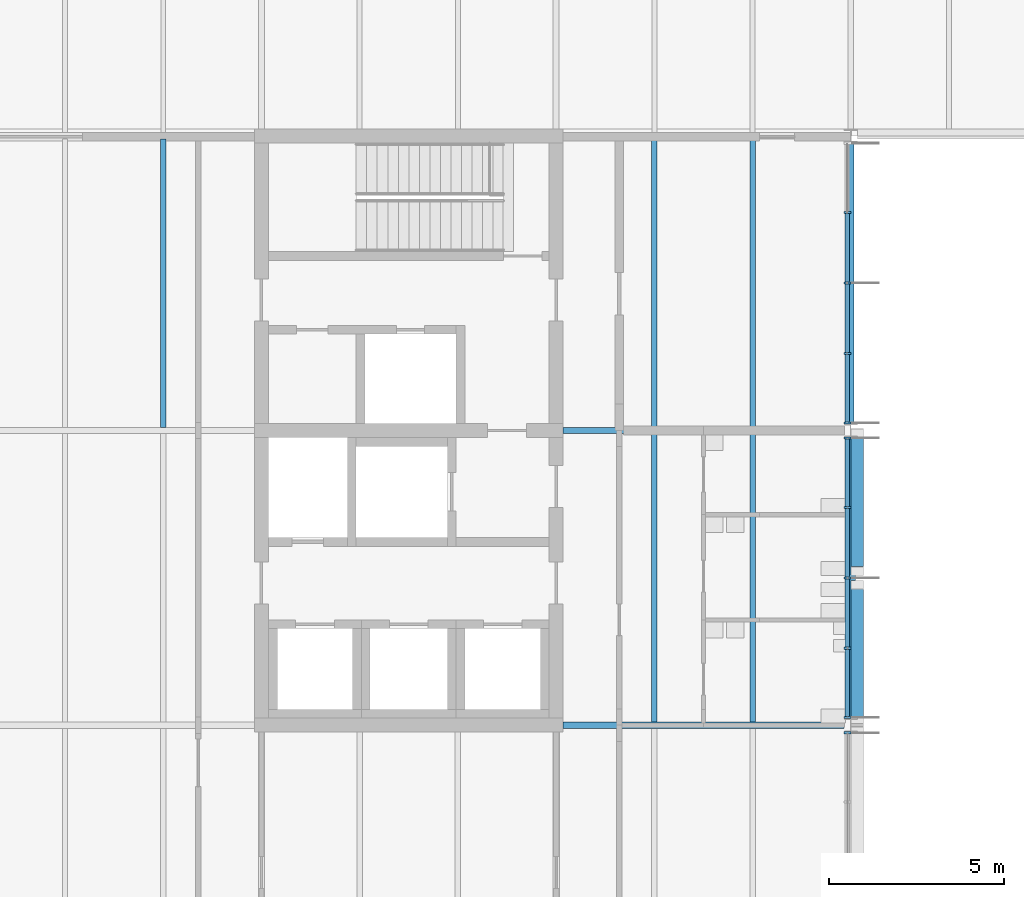
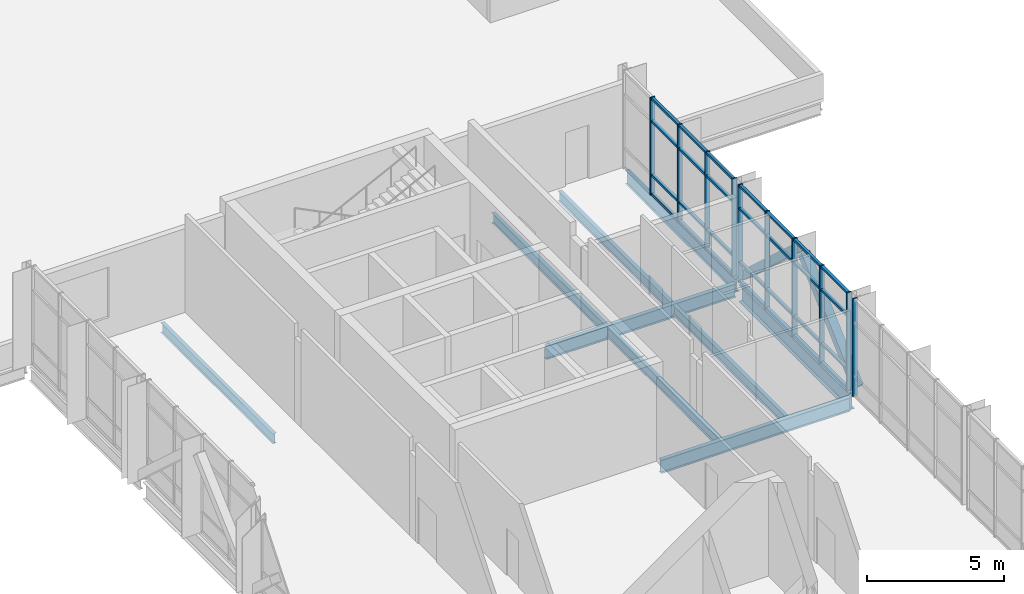
# One storey, part 8 of 26: 40 members, 9 beams, 3 elements without a shape of their own.
"""IFC4 building model written with IfcOpenShell, lengths in metres."""

from ifc_helpers import new_model, si_unit, direction, frame, origin, origin_2d, place, context, subcontext, project, spatial, rectangle, hollow_rectangle, i_section, extrude, material, material_profile, profile_set, type_object, element, aggregate, save


model = new_model("IFC4")

# Units and contexts
model_context = context("Model", 3, precision=1e-05, world=origin(), true_north=direction((0.0, 1.0)))
body_context = subcontext(model_context, "Body", "Model", "MODEL_VIEW")
ifc_project = project(units=[si_unit("LENGTHUNIT", "METRE"), si_unit("AREAUNIT", "SQUARE_METRE"), si_unit("VOLUMEUNIT", "CUBIC_METRE"), si_unit("PLANEANGLEUNIT", "RADIAN"), si_unit("MASSUNIT", "GRAM", prefix="KILO")], contexts=[model_context])

# Site, building, storey
site_placement = place(None, origin())
site = spatial("IfcSite", under=ifc_project, at=site_placement, CompositionType="ELEMENT")
building_placement = place(site_placement, origin())
building = spatial("IfcBuilding", under=site, at=building_placement, Name="Hlaing Beacon Police Headquarters", CompositionType="ELEMENT")
storey_placement = place(building_placement, frame((0.0, 0.0, 23.39990234375)))
storey = spatial("IfcBuildingStorey", under=building, at=storey_placement, Name="L05", CompositionType="ELEMENT", Elevation=23.39990234375)

# Members
ifc_material_1 = material(Name="Steel ASTM A500 Grade C", Category="steel")
ifc_material_profile_1 = material_profile(ifc_material_1, hollow_rectangle(XDim=0.355712890625, YDim=0.355712890625, WallThickness=0.0126953125, at=origin_2d()), Name="HSS14x14x1/2")
ifc_profile_set_1 = profile_set([ifc_material_profile_1], Name="Steel ASTM A500 Grade C")
member_type_1 = type_object("IfcMemberType", Name="Chevron brace HSS14x14x1/2", PredefinedType="BRACE", material=ifc_profile_set_1)
for number, where, z_axis, x_axis, name in (
    (1, (126.181884765625, 50.470947265625, 0.131103515625), (0.0, 0.73795116487, 0.674854116286), (-1.0, 0.0, 0.0), "STR-BR-L05-R7a"),
    (2, (126.181884765625, 58.72900390625, 0.131103515625), (0.0, -0.73795116487, 0.674854116286), (1.0, 0.0, 0.0), "STR-BR-L05-R7b"),
):
    element("IfcMember", number, at=place(storey_placement, frame(where, z_axis=z_axis, x_axis=x_axis)), inside=storey, type_object=member_type_1, Name=name, PredefinedType="BRACE", context=body_context, shape_type="SweptSolid", body=[
        extrude(hollow_rectangle(XDim=0.355712890625, YDim=0.355712890625, WallThickness=0.0126953125, at=origin_2d()), origin(), (0.0, 0.0, 1.0), 5.32421875),
    ])

# Beams
ifc_material_2 = material(Name="Steel ASTM A992 Grade 50", Category="steel")
ifc_material_profile_2 = material_profile(ifc_material_2, i_section(OverallWidth=0.177978515625, OverallDepth=0.599365234375, WebThickness=0.010009765625, FlangeThickness=0.012939453125, FilletRadius=0.012939453125, at=origin_2d()), Name="W24x55")
ifc_profile_set_2 = profile_set([ifc_material_profile_2], Name="Steel ASTM A992 Grade 50")
beam_type_1 = type_object("IfcBeamType", Name="Girder W24x55", PredefinedType="BEAM", material=ifc_profile_set_2)
for number, where, z_axis, x_axis, name in (
    (3, (117.800048828125, 50.39990234375, -0.4296875), (1.0, 0.0, 0.0), (0.0, 1.0, 0.0), "STR-BM-L05-GX-Q7-R7"),
    (4, (117.800048828125, 58.800048828125, -0.4296875), (1.0, 0.0, 0.0), (0.0, 1.0, 0.0), "STR-BM-L05-GX-Q8-R8"),
):
    element("IfcBeam", number, at=place(storey_placement, frame(where, z_axis=z_axis, x_axis=x_axis)), inside=storey, type_object=beam_type_1, Name=name, PredefinedType="BEAM", context=body_context, shape_type="SweptSolid", body=[
        extrude(i_section(OverallWidth=0.177978515625, OverallDepth=0.599365234375, WebThickness=0.010009765625, FlangeThickness=0.012939453125, FilletRadius=0.012939453125, at=origin_2d()), origin(), (0.0, 0.0, 1.0), 8.0029296875),
    ])
beam_1_placement = place(storey_placement, frame((126.0, 58.988037109375, -0.4296875), z_axis=(0.0, 1.0, 0.0), x_axis=(-1.0, 0.0, 0.0)))
element("IfcBeam", 5, at=beam_1_placement, inside=storey, type_object=beam_type_1, Name="STR-BM-L05-GY-R8-R9", PredefinedType="BEAM", context=body_context, shape_type="SweptSolid", body=[
    extrude(i_section(OverallWidth=0.177978515625, OverallDepth=0.599365234375, WebThickness=0.010009765625, FlangeThickness=0.012939453125, FilletRadius=0.012939453125, at=origin_2d()), origin(), (0.0, 0.0, 1.0), 8.028076171875),
])
ifc_material_3 = material(Name="Steel ASTM A992 Grade 50", Category="steel")
ifc_material_profile_3 = material_profile(ifc_material_3, i_section(OverallWidth=0.2666015625, OverallDepth=0.761962890625, WebThickness=0.014404296875, FlangeThickness=0.021484375, FilletRadius=0.0166015625, at=origin_2d()), Name="W30x116")
ifc_profile_set_3 = profile_set([ifc_material_profile_3], Name="Steel ASTM A992 Grade 50")
beam_type_2 = type_object("IfcBeamType", Name="Girder W30x116", PredefinedType="BEAM", material=ifc_profile_set_3)
beam_2_placement = place(storey_placement, frame((126.0, 50.587890625, -0.510986328125), z_axis=(0.0, 1.0, 0.0), x_axis=(-1.0, 0.0, 0.0)))
element("IfcBeam", 6, at=beam_2_placement, inside=storey, type_object=beam_type_2, Name="STR-BM-L05-GY-R7-R8", PredefinedType="BEAM", context=body_context, shape_type="SweptSolid", body=[
    extrude(i_section(OverallWidth=0.2666015625, OverallDepth=0.761962890625, WebThickness=0.014404296875, FlangeThickness=0.021484375, FilletRadius=0.0166015625, at=origin_2d()), origin(), (0.0, 0.0, 1.0), 8.024169921875),
])

# Curtain wall, member
ifc_material_4 = material(Name="Aluminium frame with solar control glazing", Category="aluminium")
curtain_wall_type = type_object("IfcCurtainWallType", Name="Unitised curtain wall 8.03 x 4.37", PredefinedType="NOTDEFINED", material=ifc_material_4)
curtain_wall_1_placement = place(storey_placement, origin())
curtain_wall_1 = element("IfcCurtainWall", 7, at=curtain_wall_1_placement, inside=storey, type_object=curtain_wall_type, Name="ENV-CW-L05-E002", PredefinedType="NOTDEFINED")
ifc_material_5 = material(Name="Aluminium", Category="aluminium")
ifc_material_profile_4 = material_profile(ifc_material_5, rectangle(XDim=0.199951171875, YDim=0.06005859375, at=origin_2d()), Name="Mullion 60x200")
ifc_profile_set_4 = profile_set([ifc_material_profile_4], Name="Aluminium")
member_type_2 = type_object("IfcMemberType", Name="Mullion 60x200", PredefinedType="MULLION", material=ifc_profile_set_4)
member_1_placement = place(storey_placement, frame((125.89990234375, 50.183349609375, 0.0), z_axis=(0.0, 0.0, 1.0), x_axis=(-1.0, 0.0, 0.0)))
member_1 = element("IfcMember", 8, at=member_1_placement, type_object=member_type_2, Name="CW-L05-E002 mullion 5", PredefinedType="MULLION", context=body_context, shape_type="SweptSolid", body=[
    extrude(rectangle(XDim=0.199951171875, YDim=0.06005859375, at=origin_2d()), origin(), (0.0, 0.0, 1.0), 4.3701171875),
])
aggregate(curtain_wall_1, [member_1])

# Curtain wall, members
curtain_wall_2_placement = place(storey_placement, origin())
curtain_wall_2 = element("IfcCurtainWall", 9, at=curtain_wall_2_placement, inside=storey, type_object=curtain_wall_type, Name="ENV-CW-L05-E003", PredefinedType="NOTDEFINED")
member_2_placement = place(storey_placement, frame((125.89990234375, 50.61669921875, 0.0), z_axis=(0.0, 0.0, 1.0), x_axis=(-1.0, 0.0, 0.0)))
member_2 = element("IfcMember", 10, at=member_2_placement, type_object=member_type_2, Name="CW-L05-E003 mullion 1", PredefinedType="MULLION", context=body_context, shape_type="SweptSolid", body=[
    extrude(rectangle(XDim=0.199951171875, YDim=0.06005859375, at=origin_2d()), origin(), (0.0, 0.0, 1.0), 4.3701171875),
])
member_3_placement = place(storey_placement, frame((125.89990234375, 52.59326171875, 0.0), z_axis=(0.0, 0.0, 1.0), x_axis=(-1.0, 0.0, 0.0)))
member_3 = element("IfcMember", 11, at=member_3_placement, type_object=member_type_2, Name="CW-L05-E003 mullion 2", PredefinedType="MULLION", context=body_context, shape_type="SweptSolid", body=[
    extrude(rectangle(XDim=0.199951171875, YDim=0.06005859375, at=origin_2d()), origin(), (0.0, 0.0, 1.0), 4.3701171875),
])
member_4_placement = place(storey_placement, frame((125.89990234375, 54.60009765625, 0.0), z_axis=(0.0, 0.0, 1.0), x_axis=(-1.0, 0.0, 0.0)))
member_4 = element("IfcMember", 12, at=member_4_placement, type_object=member_type_2, Name="CW-L05-E003 mullion 3", PredefinedType="MULLION", context=body_context, shape_type="SweptSolid", body=[
    extrude(rectangle(XDim=0.199951171875, YDim=0.06005859375, at=origin_2d()), origin(), (0.0, 0.0, 1.0), 4.3701171875),
])
member_5_placement = place(storey_placement, frame((125.89990234375, 56.606689453125, 0.0), z_axis=(0.0, 0.0, 1.0), x_axis=(-1.0, 0.0, 0.0)))
member_5 = element("IfcMember", 13, at=member_5_placement, type_object=member_type_2, Name="CW-L05-E003 mullion 4", PredefinedType="MULLION", context=body_context, shape_type="SweptSolid", body=[
    extrude(rectangle(XDim=0.199951171875, YDim=0.06005859375, at=origin_2d()), origin(), (0.0, 0.0, 1.0), 4.3701171875),
])
member_6_placement = place(storey_placement, frame((125.89990234375, 58.583251953125, 0.0), z_axis=(0.0, 0.0, 1.0), x_axis=(-1.0, 0.0, 0.0)))
member_6 = element("IfcMember", 14, at=member_6_placement, type_object=member_type_2, Name="CW-L05-E003 mullion 5", PredefinedType="MULLION", context=body_context, shape_type="SweptSolid", body=[
    extrude(rectangle(XDim=0.199951171875, YDim=0.06005859375, at=origin_2d()), origin(), (0.0, 0.0, 1.0), 4.3701171875),
])

curtain_wall_3_placement = place(storey_placement, origin())
curtain_wall_3 = element("IfcCurtainWall", 15, at=curtain_wall_3_placement, inside=storey, type_object=curtain_wall_type, Name="ENV-CW-L05-E004", PredefinedType="NOTDEFINED")
member_7_placement = place(storey_placement, frame((125.89990234375, 59.0166015625, 0.0), z_axis=(0.0, 0.0, 1.0), x_axis=(-1.0, 0.0, 0.0)))
member_7 = element("IfcMember", 16, at=member_7_placement, type_object=member_type_2, Name="CW-L05-E004 mullion 1", PredefinedType="MULLION", context=body_context, shape_type="SweptSolid", body=[
    extrude(rectangle(XDim=0.199951171875, YDim=0.06005859375, at=origin_2d()), origin(), (0.0, 0.0, 1.0), 4.3701171875),
])
member_8_placement = place(storey_placement, frame((125.89990234375, 60.99462890625, 0.0), z_axis=(0.0, 0.0, 1.0), x_axis=(-1.0, 0.0, 0.0)))
member_8 = element("IfcMember", 17, at=member_8_placement, type_object=member_type_2, Name="CW-L05-E004 mullion 2", PredefinedType="MULLION", context=body_context, shape_type="SweptSolid", body=[
    extrude(rectangle(XDim=0.199951171875, YDim=0.06005859375, at=origin_2d()), origin(), (0.0, 0.0, 1.0), 4.3701171875),
])
member_9_placement = place(storey_placement, frame((125.89990234375, 63.00244140625, 0.0), z_axis=(0.0, 0.0, 1.0), x_axis=(-1.0, 0.0, 0.0)))
member_9 = element("IfcMember", 18, at=member_9_placement, type_object=member_type_2, Name="CW-L05-E004 mullion 3", PredefinedType="MULLION", context=body_context, shape_type="SweptSolid", body=[
    extrude(rectangle(XDim=0.199951171875, YDim=0.06005859375, at=origin_2d()), origin(), (0.0, 0.0, 1.0), 4.3701171875),
])
member_10_placement = place(storey_placement, frame((125.89990234375, 65.010498046875, 0.0), z_axis=(0.0, 0.0, 1.0), x_axis=(-1.0, 0.0, 0.0)))
member_10 = element("IfcMember", 19, at=member_10_placement, type_object=member_type_2, Name="CW-L05-E004 mullion 4", PredefinedType="MULLION", context=body_context, shape_type="SweptSolid", body=[
    extrude(rectangle(XDim=0.199951171875, YDim=0.06005859375, at=origin_2d()), origin(), (0.0, 0.0, 1.0), 4.3701171875),
])

# Beams
ifc_material_6 = material(Name="Steel ASTM A992 Grade 50", Category="steel")
ifc_material_profile_5 = material_profile(ifc_material_6, i_section(OverallWidth=0.15234375, OverallDepth=0.449462890625, WebThickness=0.007568359375, FlangeThickness=0.0107421875, FilletRadius=0.01025390625, at=origin_2d()), Name="W18x35")
ifc_profile_set_5 = profile_set([ifc_material_profile_5], Name="Steel ASTM A992 Grade 50")
beam_type_3 = type_object("IfcBeamType", Name="Secondary beam W18x35", PredefinedType="BEAM", material=ifc_profile_set_5)
beam_3_placement = place(storey_placement, frame((106.39990234375, 58.888916015625, -0.354736328125), z_axis=(0.0, 1.0, 0.0), x_axis=(-1.0, 0.0, 0.0)))
element("IfcBeam", 20, at=beam_3_placement, inside=storey, type_object=beam_type_3, Name="STR-BM-L05-SB-N8-y2", PredefinedType="BEAM", context=body_context, shape_type="SweptSolid", body=[
    extrude(i_section(OverallWidth=0.15234375, OverallDepth=0.449462890625, WebThickness=0.007568359375, FlangeThickness=0.0107421875, FilletRadius=0.01025390625, at=origin_2d()), origin(), (0.0, 0.0, 1.0), 8.22216796875),
])
for number, where, z_axis, x_axis, name in (
    (21, (120.39990234375, 50.489013671875, -0.354736328125), (0.0, 1.0, 0.0), (-1.0, 0.0, 0.0), "STR-BM-L05-SB-Q7-y1"),
    (22, (123.199951171875, 50.489013671875, -0.354736328125), (0.0, 1.0, 0.0), (-1.0, 0.0, 0.0), "STR-BM-L05-SB-Q7-y2"),
):
    element("IfcBeam", number, at=place(storey_placement, frame(where, z_axis=z_axis, x_axis=x_axis)), inside=storey, type_object=beam_type_3, Name=name, PredefinedType="BEAM", context=body_context, shape_type="SweptSolid", body=[
        extrude(i_section(OverallWidth=0.15234375, OverallDepth=0.449462890625, WebThickness=0.007568359375, FlangeThickness=0.0107421875, FilletRadius=0.01025390625, at=origin_2d()), origin(), (0.0, 0.0, 1.0), 8.221923828125),
    ])
for number, where, z_axis, x_axis, name in (
    (23, (120.39990234375, 58.888916015625, -0.354736328125), (0.0, 1.0, 0.0), (-1.0, 0.0, 0.0), "STR-BM-L05-SB-Q8-y1"),
    (24, (123.199951171875, 58.888916015625, -0.354736328125), (0.0, 1.0, 0.0), (-1.0, 0.0, 0.0), "STR-BM-L05-SB-Q8-y2"),
):
    element("IfcBeam", number, at=place(storey_placement, frame(where, z_axis=z_axis, x_axis=x_axis)), inside=storey, type_object=beam_type_3, Name=name, PredefinedType="BEAM", context=body_context, shape_type="SweptSolid", body=[
        extrude(i_section(OverallWidth=0.15234375, OverallDepth=0.449462890625, WebThickness=0.007568359375, FlangeThickness=0.0107421875, FilletRadius=0.01025390625, at=origin_2d()), origin(), (0.0, 0.0, 1.0), 8.22216796875),
    ])

# Member
ifc_material_7 = material(Name="Aluminium", Category="aluminium")
ifc_material_profile_6 = material_profile(ifc_material_7, rectangle(XDim=0.1201171875, YDim=0.10009765625, at=origin_2d()), Name="Transom 120x100")
ifc_profile_set_6 = profile_set([ifc_material_profile_6], Name="Aluminium")
member_type_3 = type_object("IfcMemberType", Name="Transom 120x100", PredefinedType="USERDEFINED", material=ifc_profile_set_6)
member_11_placement = place(storey_placement, frame((125.89990234375, 50.646728515625, 0.050048828125), z_axis=(0.0, 1.0, 0.0), x_axis=(-1.0, 0.0, 0.0)))
member_11 = element("IfcMember", 25, at=member_11_placement, type_object=member_type_3, Name="CW-L05-E003 transom 1.1", ObjectType="TRANSOM", PredefinedType="USERDEFINED", context=body_context, shape_type="SweptSolid", body=[
    extrude(rectangle(XDim=0.1201171875, YDim=0.10009765625, at=origin_2d()), origin(), (0.0, 0.0, 1.0), 1.91650390625),
])

member_12_placement = place(storey_placement, frame((125.89990234375, 50.646728515625, 0.900146484375), z_axis=(0.0, 1.0, 0.0), x_axis=(-1.0, 0.0, 0.0)))
member_12 = element("IfcMember", 26, at=member_12_placement, type_object=member_type_3, Name="CW-L05-E003 transom 1.2", ObjectType="TRANSOM", PredefinedType="USERDEFINED", context=body_context, shape_type="SweptSolid", body=[
    extrude(rectangle(XDim=0.1201171875, YDim=0.10009765625, at=origin_2d()), origin(), (0.0, 0.0, 1.0), 1.91650390625),
])

member_13_placement = place(storey_placement, frame((125.89990234375, 50.646728515625, 3.300048828125), z_axis=(0.0, 1.0, 0.0), x_axis=(-1.0, 0.0, 0.0)))
member_13 = element("IfcMember", 27, at=member_13_placement, type_object=member_type_3, Name="CW-L05-E003 transom 1.3", ObjectType="TRANSOM", PredefinedType="USERDEFINED", context=body_context, shape_type="SweptSolid", body=[
    extrude(rectangle(XDim=0.1201171875, YDim=0.10009765625, at=origin_2d()), origin(), (0.0, 0.0, 1.0), 1.91650390625),
])

member_14_placement = place(storey_placement, frame((125.89990234375, 50.646728515625, 4.320068359375), z_axis=(0.0, 1.0, 0.0), x_axis=(-1.0, 0.0, 0.0)))
member_14 = element("IfcMember", 28, at=member_14_placement, type_object=member_type_3, Name="CW-L05-E003 transom 1.4", ObjectType="TRANSOM", PredefinedType="USERDEFINED", context=body_context, shape_type="SweptSolid", body=[
    extrude(rectangle(XDim=0.1201171875, YDim=0.10009765625, at=origin_2d()), origin(), (0.0, 0.0, 1.0), 1.91650390625),
])

member_15_placement = place(storey_placement, frame((125.89990234375, 52.623291015625, 0.050048828125), z_axis=(0.0, 1.0, 0.0), x_axis=(-1.0, 0.0, 0.0)))
member_15 = element("IfcMember", 29, at=member_15_placement, type_object=member_type_3, Name="CW-L05-E003 transom 2.1", ObjectType="TRANSOM", PredefinedType="USERDEFINED", context=body_context, shape_type="SweptSolid", body=[
    extrude(rectangle(XDim=0.1201171875, YDim=0.10009765625, at=origin_2d()), origin(), (0.0, 0.0, 1.0), 1.94677734375),
])

member_16_placement = place(storey_placement, frame((125.89990234375, 52.623291015625, 0.900146484375), z_axis=(0.0, 1.0, 0.0), x_axis=(-1.0, 0.0, 0.0)))
member_16 = element("IfcMember", 30, at=member_16_placement, type_object=member_type_3, Name="CW-L05-E003 transom 2.2", ObjectType="TRANSOM", PredefinedType="USERDEFINED", context=body_context, shape_type="SweptSolid", body=[
    extrude(rectangle(XDim=0.1201171875, YDim=0.10009765625, at=origin_2d()), origin(), (0.0, 0.0, 1.0), 1.94677734375),
])

member_17_placement = place(storey_placement, frame((125.89990234375, 52.623291015625, 3.300048828125), z_axis=(0.0, 1.0, 0.0), x_axis=(-1.0, 0.0, 0.0)))
member_17 = element("IfcMember", 31, at=member_17_placement, type_object=member_type_3, Name="CW-L05-E003 transom 2.3", ObjectType="TRANSOM", PredefinedType="USERDEFINED", context=body_context, shape_type="SweptSolid", body=[
    extrude(rectangle(XDim=0.1201171875, YDim=0.10009765625, at=origin_2d()), origin(), (0.0, 0.0, 1.0), 1.94677734375),
])

member_18_placement = place(storey_placement, frame((125.89990234375, 52.623291015625, 4.320068359375), z_axis=(0.0, 1.0, 0.0), x_axis=(-1.0, 0.0, 0.0)))
member_18 = element("IfcMember", 32, at=member_18_placement, type_object=member_type_3, Name="CW-L05-E003 transom 2.4", ObjectType="TRANSOM", PredefinedType="USERDEFINED", context=body_context, shape_type="SweptSolid", body=[
    extrude(rectangle(XDim=0.1201171875, YDim=0.10009765625, at=origin_2d()), origin(), (0.0, 0.0, 1.0), 1.94677734375),
])

member_19_placement = place(storey_placement, frame((125.89990234375, 54.6298828125, 0.050048828125), z_axis=(0.0, 1.0, 0.0), x_axis=(-1.0, 0.0, 0.0)))
member_19 = element("IfcMember", 33, at=member_19_placement, type_object=member_type_3, Name="CW-L05-E003 transom 3.1", ObjectType="TRANSOM", PredefinedType="USERDEFINED", context=body_context, shape_type="SweptSolid", body=[
    extrude(rectangle(XDim=0.1201171875, YDim=0.10009765625, at=origin_2d()), origin(), (0.0, 0.0, 1.0), 1.94677734375),
])

member_20_placement = place(storey_placement, frame((125.89990234375, 54.6298828125, 0.900146484375), z_axis=(0.0, 1.0, 0.0), x_axis=(-1.0, 0.0, 0.0)))
member_20 = element("IfcMember", 34, at=member_20_placement, type_object=member_type_3, Name="CW-L05-E003 transom 3.2", ObjectType="TRANSOM", PredefinedType="USERDEFINED", context=body_context, shape_type="SweptSolid", body=[
    extrude(rectangle(XDim=0.1201171875, YDim=0.10009765625, at=origin_2d()), origin(), (0.0, 0.0, 1.0), 1.94677734375),
])

member_21_placement = place(storey_placement, frame((125.89990234375, 54.6298828125, 3.300048828125), z_axis=(0.0, 1.0, 0.0), x_axis=(-1.0, 0.0, 0.0)))
member_21 = element("IfcMember", 35, at=member_21_placement, type_object=member_type_3, Name="CW-L05-E003 transom 3.3", ObjectType="TRANSOM", PredefinedType="USERDEFINED", context=body_context, shape_type="SweptSolid", body=[
    extrude(rectangle(XDim=0.1201171875, YDim=0.10009765625, at=origin_2d()), origin(), (0.0, 0.0, 1.0), 1.94677734375),
])

member_22_placement = place(storey_placement, frame((125.89990234375, 54.6298828125, 4.320068359375), z_axis=(0.0, 1.0, 0.0), x_axis=(-1.0, 0.0, 0.0)))
member_22 = element("IfcMember", 36, at=member_22_placement, type_object=member_type_3, Name="CW-L05-E003 transom 3.4", ObjectType="TRANSOM", PredefinedType="USERDEFINED", context=body_context, shape_type="SweptSolid", body=[
    extrude(rectangle(XDim=0.1201171875, YDim=0.10009765625, at=origin_2d()), origin(), (0.0, 0.0, 1.0), 1.94677734375),
])

member_23_placement = place(storey_placement, frame((125.89990234375, 56.63671875, 0.050048828125), z_axis=(0.0, 1.0, 0.0), x_axis=(-1.0, 0.0, 0.0)))
member_23 = element("IfcMember", 37, at=member_23_placement, type_object=member_type_3, Name="CW-L05-E003 transom 4.1", ObjectType="TRANSOM", PredefinedType="USERDEFINED", context=body_context, shape_type="SweptSolid", body=[
    extrude(rectangle(XDim=0.1201171875, YDim=0.10009765625, at=origin_2d()), origin(), (0.0, 0.0, 1.0), 1.91650390625),
])

member_24_placement = place(storey_placement, frame((125.89990234375, 56.63671875, 0.900146484375), z_axis=(0.0, 1.0, 0.0), x_axis=(-1.0, 0.0, 0.0)))
member_24 = element("IfcMember", 38, at=member_24_placement, type_object=member_type_3, Name="CW-L05-E003 transom 4.2", ObjectType="TRANSOM", PredefinedType="USERDEFINED", context=body_context, shape_type="SweptSolid", body=[
    extrude(rectangle(XDim=0.1201171875, YDim=0.10009765625, at=origin_2d()), origin(), (0.0, 0.0, 1.0), 1.91650390625),
])

member_25_placement = place(storey_placement, frame((125.89990234375, 56.63671875, 3.300048828125), z_axis=(0.0, 1.0, 0.0), x_axis=(-1.0, 0.0, 0.0)))
member_25 = element("IfcMember", 39, at=member_25_placement, type_object=member_type_3, Name="CW-L05-E003 transom 4.3", ObjectType="TRANSOM", PredefinedType="USERDEFINED", context=body_context, shape_type="SweptSolid", body=[
    extrude(rectangle(XDim=0.1201171875, YDim=0.10009765625, at=origin_2d()), origin(), (0.0, 0.0, 1.0), 1.91650390625),
])

member_26_placement = place(storey_placement, frame((125.89990234375, 56.63671875, 4.320068359375), z_axis=(0.0, 1.0, 0.0), x_axis=(-1.0, 0.0, 0.0)))
member_26 = element("IfcMember", 40, at=member_26_placement, type_object=member_type_3, Name="CW-L05-E003 transom 4.4", ObjectType="TRANSOM", PredefinedType="USERDEFINED", context=body_context, shape_type="SweptSolid", body=[
    extrude(rectangle(XDim=0.1201171875, YDim=0.10009765625, at=origin_2d()), origin(), (0.0, 0.0, 1.0), 1.91650390625),
])

aggregate(curtain_wall_2, [member_2, member_3, member_4, member_5, member_6, member_11, member_12, member_13, member_14, member_15, member_16, member_17, member_18, member_19, member_20, member_21, member_22, member_23, member_24, member_25, member_26])

member_27_placement = place(storey_placement, frame((125.89990234375, 59.046630859375, 0.050048828125), z_axis=(0.0, 1.0, 0.0), x_axis=(-1.0, 0.0, 0.0)))
member_27 = element("IfcMember", 41, at=member_27_placement, type_object=member_type_3, Name="CW-L05-E004 transom 1.1", ObjectType="TRANSOM", PredefinedType="USERDEFINED", context=body_context, shape_type="SweptSolid", body=[
    extrude(rectangle(XDim=0.1201171875, YDim=0.10009765625, at=origin_2d()), origin(), (0.0, 0.0, 1.0), 1.91796875),
])

member_28_placement = place(storey_placement, frame((125.89990234375, 59.046630859375, 0.900146484375), z_axis=(0.0, 1.0, 0.0), x_axis=(-1.0, 0.0, 0.0)))
member_28 = element("IfcMember", 42, at=member_28_placement, type_object=member_type_3, Name="CW-L05-E004 transom 1.2", ObjectType="TRANSOM", PredefinedType="USERDEFINED", context=body_context, shape_type="SweptSolid", body=[
    extrude(rectangle(XDim=0.1201171875, YDim=0.10009765625, at=origin_2d()), origin(), (0.0, 0.0, 1.0), 1.91796875),
])

member_29_placement = place(storey_placement, frame((125.89990234375, 59.046630859375, 3.300048828125), z_axis=(0.0, 1.0, 0.0), x_axis=(-1.0, 0.0, 0.0)))
member_29 = element("IfcMember", 43, at=member_29_placement, type_object=member_type_3, Name="CW-L05-E004 transom 1.3", ObjectType="TRANSOM", PredefinedType="USERDEFINED", context=body_context, shape_type="SweptSolid", body=[
    extrude(rectangle(XDim=0.1201171875, YDim=0.10009765625, at=origin_2d()), origin(), (0.0, 0.0, 1.0), 1.91796875),
])

member_30_placement = place(storey_placement, frame((125.89990234375, 59.046630859375, 4.320068359375), z_axis=(0.0, 1.0, 0.0), x_axis=(-1.0, 0.0, 0.0)))
member_30 = element("IfcMember", 44, at=member_30_placement, type_object=member_type_3, Name="CW-L05-E004 transom 1.4", ObjectType="TRANSOM", PredefinedType="USERDEFINED", context=body_context, shape_type="SweptSolid", body=[
    extrude(rectangle(XDim=0.1201171875, YDim=0.10009765625, at=origin_2d()), origin(), (0.0, 0.0, 1.0), 1.91796875),
])

member_31_placement = place(storey_placement, frame((125.89990234375, 61.024658203125, 0.050048828125), z_axis=(0.0, 1.0, 0.0), x_axis=(-1.0, 0.0, 0.0)))
member_31 = element("IfcMember", 45, at=member_31_placement, type_object=member_type_3, Name="CW-L05-E004 transom 2.1", ObjectType="TRANSOM", PredefinedType="USERDEFINED", context=body_context, shape_type="SweptSolid", body=[
    extrude(rectangle(XDim=0.1201171875, YDim=0.10009765625, at=origin_2d()), origin(), (0.0, 0.0, 1.0), 1.947998046875),
])

member_32_placement = place(storey_placement, frame((125.89990234375, 61.024658203125, 0.900146484375), z_axis=(0.0, 1.0, 0.0), x_axis=(-1.0, 0.0, 0.0)))
member_32 = element("IfcMember", 46, at=member_32_placement, type_object=member_type_3, Name="CW-L05-E004 transom 2.2", ObjectType="TRANSOM", PredefinedType="USERDEFINED", context=body_context, shape_type="SweptSolid", body=[
    extrude(rectangle(XDim=0.1201171875, YDim=0.10009765625, at=origin_2d()), origin(), (0.0, 0.0, 1.0), 1.947998046875),
])

member_33_placement = place(storey_placement, frame((125.89990234375, 61.024658203125, 3.300048828125), z_axis=(0.0, 1.0, 0.0), x_axis=(-1.0, 0.0, 0.0)))
member_33 = element("IfcMember", 47, at=member_33_placement, type_object=member_type_3, Name="CW-L05-E004 transom 2.3", ObjectType="TRANSOM", PredefinedType="USERDEFINED", context=body_context, shape_type="SweptSolid", body=[
    extrude(rectangle(XDim=0.1201171875, YDim=0.10009765625, at=origin_2d()), origin(), (0.0, 0.0, 1.0), 1.947998046875),
])

member_34_placement = place(storey_placement, frame((125.89990234375, 61.024658203125, 4.320068359375), z_axis=(0.0, 1.0, 0.0), x_axis=(-1.0, 0.0, 0.0)))
member_34 = element("IfcMember", 48, at=member_34_placement, type_object=member_type_3, Name="CW-L05-E004 transom 2.4", ObjectType="TRANSOM", PredefinedType="USERDEFINED", context=body_context, shape_type="SweptSolid", body=[
    extrude(rectangle(XDim=0.1201171875, YDim=0.10009765625, at=origin_2d()), origin(), (0.0, 0.0, 1.0), 1.947998046875),
])

member_35_placement = place(storey_placement, frame((125.89990234375, 63.032470703125, 0.050048828125), z_axis=(0.0, 1.0, 0.0), x_axis=(-1.0, 0.0, 0.0)))
member_35 = element("IfcMember", 49, at=member_35_placement, type_object=member_type_3, Name="CW-L05-E004 transom 3.1", ObjectType="TRANSOM", PredefinedType="USERDEFINED", context=body_context, shape_type="SweptSolid", body=[
    extrude(rectangle(XDim=0.1201171875, YDim=0.10009765625, at=origin_2d()), origin(), (0.0, 0.0, 1.0), 1.947998046875),
])

member_36_placement = place(storey_placement, frame((125.89990234375, 63.032470703125, 0.900146484375), z_axis=(0.0, 1.0, 0.0), x_axis=(-1.0, 0.0, 0.0)))
member_36 = element("IfcMember", 50, at=member_36_placement, type_object=member_type_3, Name="CW-L05-E004 transom 3.2", ObjectType="TRANSOM", PredefinedType="USERDEFINED", context=body_context, shape_type="SweptSolid", body=[
    extrude(rectangle(XDim=0.1201171875, YDim=0.10009765625, at=origin_2d()), origin(), (0.0, 0.0, 1.0), 1.947998046875),
])

member_37_placement = place(storey_placement, frame((125.89990234375, 63.032470703125, 3.300048828125), z_axis=(0.0, 1.0, 0.0), x_axis=(-1.0, 0.0, 0.0)))
member_37 = element("IfcMember", 51, at=member_37_placement, type_object=member_type_3, Name="CW-L05-E004 transom 3.3", ObjectType="TRANSOM", PredefinedType="USERDEFINED", context=body_context, shape_type="SweptSolid", body=[
    extrude(rectangle(XDim=0.1201171875, YDim=0.10009765625, at=origin_2d()), origin(), (0.0, 0.0, 1.0), 1.947998046875),
])

member_38_placement = place(storey_placement, frame((125.89990234375, 63.032470703125, 4.320068359375), z_axis=(0.0, 1.0, 0.0), x_axis=(-1.0, 0.0, 0.0)))
member_38 = element("IfcMember", 52, at=member_38_placement, type_object=member_type_3, Name="CW-L05-E004 transom 3.4", ObjectType="TRANSOM", PredefinedType="USERDEFINED", context=body_context, shape_type="SweptSolid", body=[
    extrude(rectangle(XDim=0.1201171875, YDim=0.10009765625, at=origin_2d()), origin(), (0.0, 0.0, 1.0), 1.947998046875),
])

aggregate(curtain_wall_3, [member_7, member_8, member_9, member_10, member_27, member_28, member_29, member_30, member_31, member_32, member_33, member_34, member_35, member_36, member_37, member_38])

save(model, "model.ifc")
